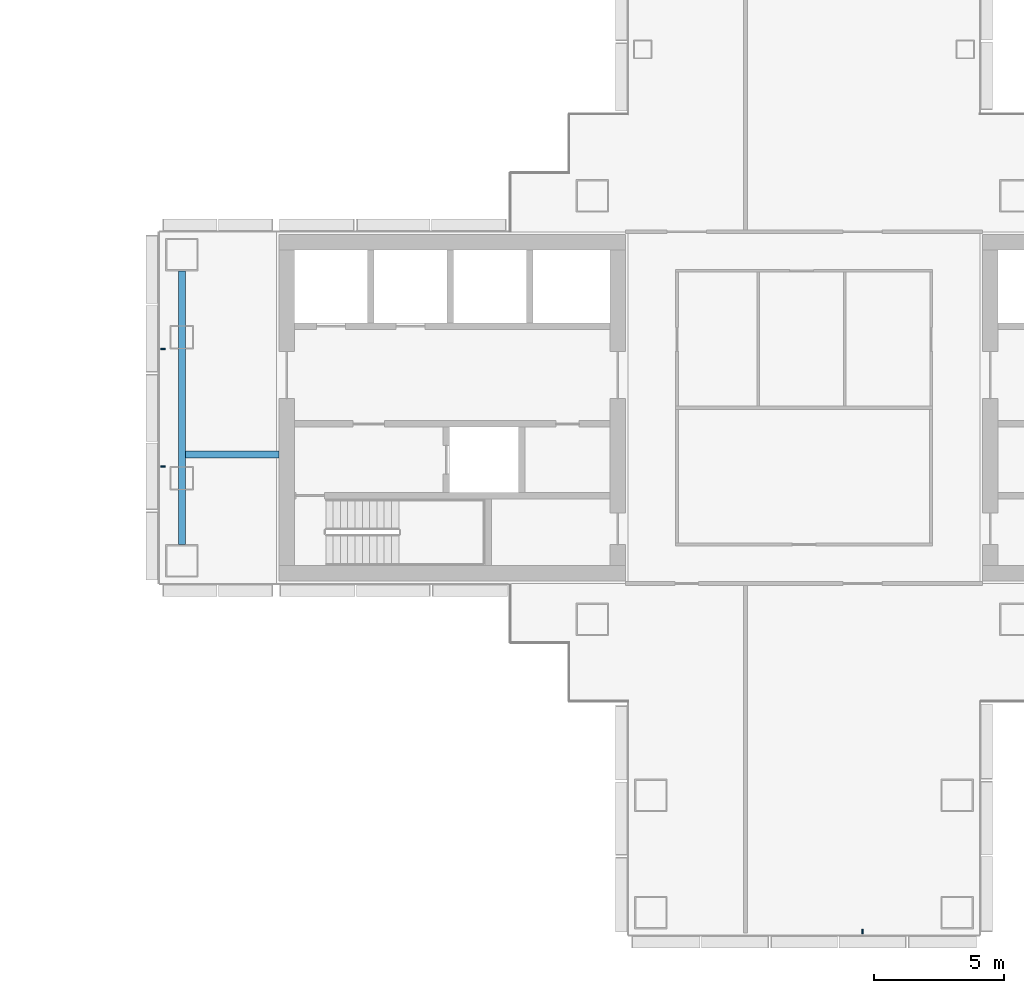
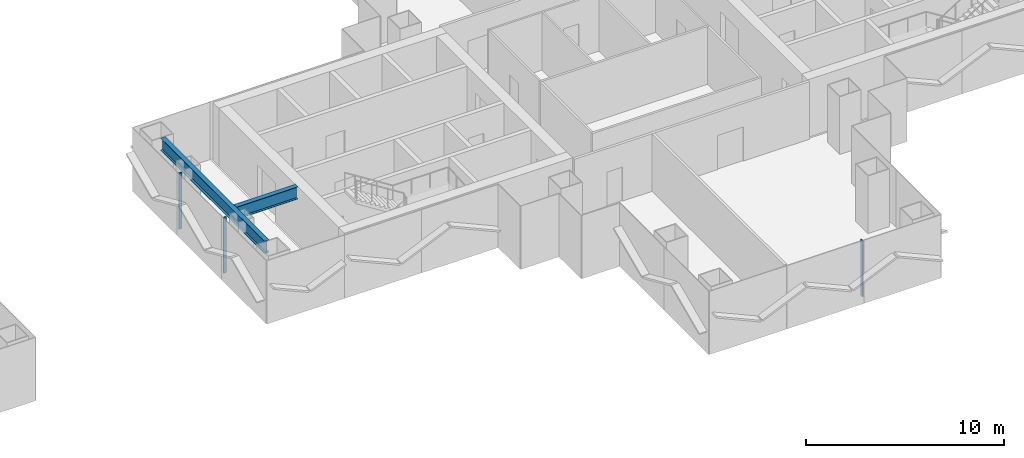
# One storey, part 6 of 20: 3 members, 2 beams, 2 elements without a shape of their own.
"""IFC4 building model written with IfcOpenShell, lengths in metres."""

from ifc_helpers import new_model, si_unit, direction, frame, origin, origin_2d, place, context, subcontext, project, spatial, rectangle, i_section, extrude, material, layer, layer_set, material_profile, profile_set, type_object, element, aggregate, save


model = new_model("IFC4")

# Units and contexts
model_context = context("Model", 3, precision=1e-05, world=origin(), true_north=direction((0.0, 1.0)))
body_context = subcontext(model_context, "Body", "Model", "MODEL_VIEW")
ifc_project = project(units=[si_unit("LENGTHUNIT", "METRE"), si_unit("AREAUNIT", "SQUARE_METRE"), si_unit("VOLUMEUNIT", "CUBIC_METRE"), si_unit("PLANEANGLEUNIT", "RADIAN"), si_unit("MASSUNIT", "GRAM", prefix="KILO")], contexts=[model_context])

# Site, building, storey
site_placement = place(None, origin())
site = spatial("IfcSite", under=ifc_project, at=site_placement, CompositionType="ELEMENT")
building_placement = place(site_placement, origin())
building = spatial("IfcBuilding", under=site, at=building_placement, Name="Shamsa Quay Exchange Towers", CompositionType="ELEMENT")
storey_placement = place(building_placement, frame((0.0, 0.0, 101.39990234375)))
storey = spatial("IfcBuildingStorey", under=building, at=storey_placement, Name="L23", CompositionType="ELEMENT", Elevation=101.39990234375)

# Curtain wall, members
ifc_material_1 = material(Name="Aluminium EN AW-6063 T6, black anodised", Category="aluminium")
ifc_layer = layer(ifc_material_1, 0.280029296875)
ifc_layer_set = layer_set([ifc_layer], Name="CW-1 UNITISED VISION GLASS")
curtain_wall_type = type_object("IfcCurtainWallType", Name="CW-1 UNITISED VISION GLASS", PredefinedType="NOTDEFINED", material=ifc_layer_set)
curtain_wall_1_placement = place(storey_placement, origin())
curtain_wall_1 = element("IfcCurtainWall", 1, at=curtain_wall_1_placement, inside=storey, type_object=curtain_wall_type, Name="CW1 T2-END-V+ L23", PredefinedType="NOTDEFINED")
ifc_material_profile_1 = material_profile(ifc_material_1, rectangle(XDim=0.179931640625, YDim=0.06005859375, at=origin_2d()), Name="MU60x180")
ifc_profile_set_1 = profile_set([ifc_material_profile_1], Name="Aluminium EN AW-6063 T6, black anodised")
member_type = type_object("IfcMemberType", Name="CW1 MULLION 60x180", PredefinedType="MULLION", material=ifc_profile_set_1)
member_1_placement = place(storey_placement, frame((9.14990234375, 2.25, 0.0)))
member_1 = element("IfcMember", 2, at=member_1_placement, type_object=member_type, Name="CW1 mullion", PredefinedType="MULLION", context=body_context, shape_type="SweptSolid", body=[
    extrude(rectangle(XDim=0.179931640625, YDim=0.06005859375, at=origin_2d()), origin(), (0.0, 0.0, 1.0), 3.4501953125),
])
member_2_placement = place(storey_placement, frame((9.14990234375, -2.25, 0.0)))
member_2 = element("IfcMember", 3, at=member_2_placement, type_object=member_type, Name="CW1 mullion", PredefinedType="MULLION", context=body_context, shape_type="SweptSolid", body=[
    extrude(rectangle(XDim=0.179931640625, YDim=0.06005859375, at=origin_2d()), origin(), (0.0, 0.0, 1.0), 3.4501953125),
])
aggregate(curtain_wall_1, [member_1, member_2])

# Curtain wall, member
curtain_wall_2_placement = place(storey_placement, origin())
curtain_wall_2 = element("IfcCurtainWall", 4, at=curtain_wall_2_placement, inside=storey, type_object=curtain_wall_type, Name="CW1 T2-END-U- L23", PredefinedType="NOTDEFINED")
member_3_placement = place(storey_placement, frame((36.0, -20.10009765625, 0.0), z_axis=(0.0, 0.0, 1.0), x_axis=(0.0, 1.0, 0.0)))
member_3 = element("IfcMember", 5, at=member_3_placement, type_object=member_type, Name="CW1 mullion", PredefinedType="MULLION", context=body_context, shape_type="SweptSolid", body=[
    extrude(rectangle(XDim=0.179931640625, YDim=0.06005859375, at=origin_2d()), origin(), (0.0, 0.0, 1.0), 3.4501953125),
])
aggregate(curtain_wall_2, [member_3])

# Beams
ifc_material_2 = material(Name="Steel S355", Category="steel")
ifc_material_profile_2 = material_profile(ifc_material_2, i_section(OverallWidth=0.26611328125, OverallDepth=0.7578125, WebThickness=0.013916015625, FlangeThickness=0.019287109375, at=origin_2d()), Name="W30x108")
ifc_profile_set_2 = profile_set([ifc_material_profile_2], Name="Steel S355")
beam_type = type_object("IfcBeamType", Name="End-zone beam W30x108", PredefinedType="BEAM", material=ifc_profile_set_2)
beam_1_placement = place(storey_placement, frame((9.875, -5.25, 3.171142578125), z_axis=(0.0, 1.0, 0.0), x_axis=(-1.0, 0.0, 0.0)))
element("IfcBeam", 6, at=beam_1_placement, inside=storey, type_object=beam_type, Name="End beam T2 V+ end zone L23", PredefinedType="BEAM", context=body_context, shape_type="SweptSolid", body=[
    extrude(i_section(OverallWidth=0.26611328125, OverallDepth=0.7578125, WebThickness=0.013916015625, FlangeThickness=0.019287109375, at=origin_2d()), origin(), (0.0, 0.0, 1.0), 10.5),
])
beam_2_placement = place(storey_placement, frame((13.60009765625, -1.800048828125, 3.171142578125), z_axis=(-1.0, 0.0, 0.0), x_axis=(0.0, -1.0, 0.0)))
element("IfcBeam", 7, at=beam_2_placement, inside=storey, type_object=beam_type, Name="Spine beam T2 V+ end zone L23", PredefinedType="BEAM", context=body_context, shape_type="SweptSolid", body=[
    extrude(i_section(OverallWidth=0.26611328125, OverallDepth=0.7578125, WebThickness=0.013916015625, FlangeThickness=0.019287109375, at=origin_2d()), origin(), (0.0, 0.0, 1.0), 3.592041015625),
])

save(model, "model.ifc")
